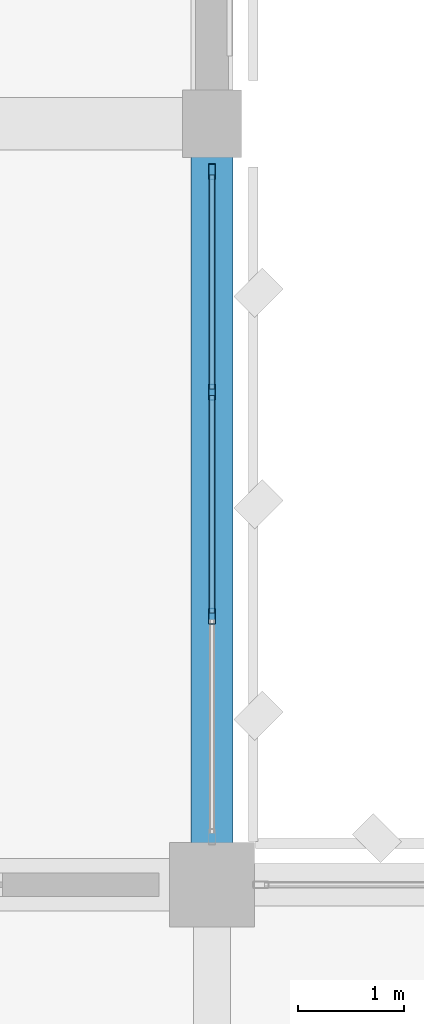
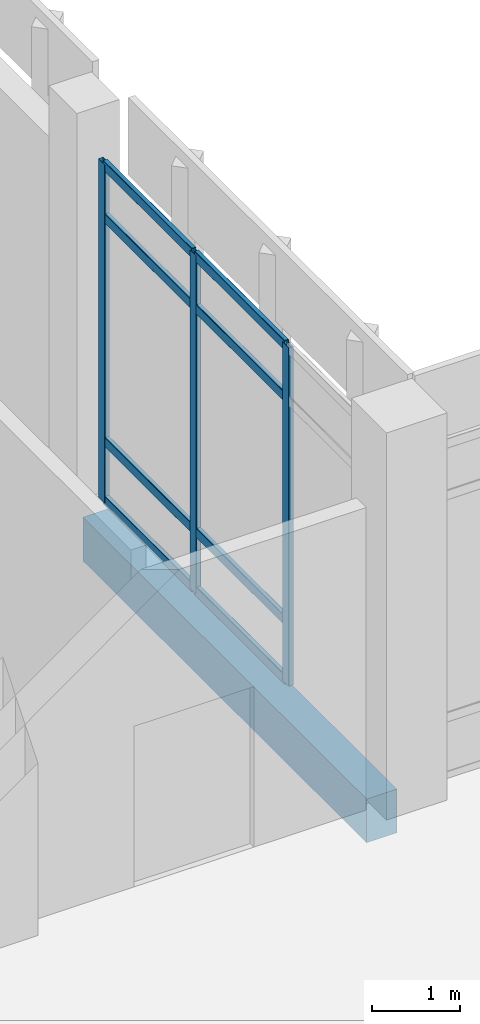
# One storey, part 25 of 180: 11 members, 1 beam, 1 element without a shape of its own.
"""IFC4 building model written with IfcOpenShell, lengths in metres."""

from ifc_helpers import new_model, si_unit, direction, frame, origin, origin_2d, place, context, subcontext, project, spatial, rectangle, hollow_rectangle, extrude, material, material_profile, profile_set, type_object, element, aggregate, save


model = new_model("IFC4")

# Units and contexts
model_context = context("Model", 3, precision=1e-05, world=origin(), true_north=direction((0.0, 1.0)))
body_context = subcontext(model_context, "Body", "Model", "MODEL_VIEW")
ifc_project = project(units=[si_unit("LENGTHUNIT", "METRE"), si_unit("AREAUNIT", "SQUARE_METRE"), si_unit("VOLUMEUNIT", "CUBIC_METRE"), si_unit("PLANEANGLEUNIT", "RADIAN"), si_unit("MASSUNIT", "GRAM", prefix="KILO")], contexts=[model_context])

# Site, building, storey
site_placement = place(None, origin())
site = spatial("IfcSite", under=ifc_project, at=site_placement, CompositionType="ELEMENT")
building_placement = place(site_placement, origin())
building = spatial("IfcBuilding", under=site, at=building_placement, Name="Lusvemor Sports Hall", CompositionType="ELEMENT")
storey_placement = place(building_placement, frame((0.0, 0.0, 5.39990234375)))
storey = spatial("IfcBuildingStorey", under=building, at=storey_placement, Name="L01", CompositionType="ELEMENT", Elevation=5.39990234375)

# Curtain wall, members
ifc_material_1 = material(Name="Thermally broken bronze-anodized aluminium", Category="aluminium")
curtain_wall_type = type_object("IfcCurtainWallType", Name="CW_WING_B", PredefinedType="NOTDEFINED", material=ifc_material_1)
curtain_wall_placement = place(storey_placement, origin())
curtain_wall = element("IfcCurtainWall", 1, at=curtain_wall_placement, inside=storey, type_object=curtain_wall_type, Name="Curtain Wall CW-L01-E-4-0", PredefinedType="NOTDEFINED")
ifc_material_2 = material(Name="Thermally broken bronze-anodized aluminium", Category="aluminium")
ifc_material_profile_1 = material_profile(ifc_material_2, hollow_rectangle(XDim=0.06494140625, YDim=0.14990234375, WallThickness=0.00390625, InnerFilletRadius=0.00390625, OuterFilletRadius=0.008056640625, at=origin_2d()), Name="CWMUL150x65x4")
ifc_profile_set_1 = profile_set([ifc_material_profile_1], Name="Thermally broken bronze-anodized aluminium")
member_type_1 = type_object("IfcMemberType", Name="CW_MUL_B", PredefinedType="MULLION", material=ifc_profile_set_1)
member_1_placement = place(storey_placement, frame((21.60009765625, 53.547607421875, 0.0), z_axis=(0.0, 0.0, 1.0), x_axis=(1.0, 0.0, 0.0)))
member_1 = element("IfcMember", 2, at=member_1_placement, type_object=member_type_1, Name="CW02 mullion 1", PredefinedType="MULLION", context=body_context, shape_type="SweptSolid", body=[
    extrude(hollow_rectangle(XDim=0.06494140625, YDim=0.14990234375, WallThickness=0.00390625, InnerFilletRadius=0.00390625, OuterFilletRadius=0.008056640625, at=origin_2d()), origin(), (0.0, 0.0, 1.0), 4.72021484375),
])
member_2_placement = place(storey_placement, frame((21.60009765625, 51.4599609375, 0.0), z_axis=(0.0, 0.0, 1.0), x_axis=(1.0, 0.0, 0.0)))
member_2 = element("IfcMember", 3, at=member_2_placement, type_object=member_type_1, Name="CW02 mullion 2", PredefinedType="MULLION", context=body_context, shape_type="SweptSolid", body=[
    extrude(hollow_rectangle(XDim=0.06494140625, YDim=0.14990234375, WallThickness=0.00390625, InnerFilletRadius=0.00390625, OuterFilletRadius=0.008056640625, at=origin_2d()), origin(), (0.0, 0.0, 1.0), 4.72021484375),
])
member_3_placement = place(storey_placement, frame((21.60009765625, 49.340087890625, 0.0), z_axis=(0.0, 0.0, 1.0), x_axis=(1.0, 0.0, 0.0)))
member_3 = element("IfcMember", 4, at=member_3_placement, type_object=member_type_1, Name="CW02 mullion 3", PredefinedType="MULLION", context=body_context, shape_type="SweptSolid", body=[
    extrude(hollow_rectangle(XDim=0.06494140625, YDim=0.14990234375, WallThickness=0.00390625, InnerFilletRadius=0.00390625, OuterFilletRadius=0.008056640625, at=origin_2d()), origin(), (0.0, 0.0, 1.0), 4.72021484375),
])
ifc_material_3 = material(Name="Thermally broken bronze-anodized aluminium", Category="aluminium")
ifc_material_profile_2 = material_profile(ifc_material_3, hollow_rectangle(XDim=0.06005859375, YDim=0.135009765625, WallThickness=0.00390625, InnerFilletRadius=0.00390625, OuterFilletRadius=0.008056640625, at=origin_2d()), Name="CWTRN135x60x4")
ifc_profile_set_2 = profile_set([ifc_material_profile_2], Name="Thermally broken bronze-anodized aluminium")
member_type_2 = type_object("IfcMemberType", Name="CW_TRN_B", PredefinedType="USERDEFINED", material=ifc_profile_set_2)
member_4_placement = place(storey_placement, frame((21.60009765625, 53.514892578125, 0.030029296875), z_axis=(0.0, -1.0, 0.0), x_axis=(1.0, 0.0, 0.0)))
member_4 = element("IfcMember", 5, at=member_4_placement, type_object=member_type_2, Name="CW02 transom 1.1", ObjectType="TRANSOM", PredefinedType="USERDEFINED", context=body_context, shape_type="SweptSolid", body=[
    extrude(hollow_rectangle(XDim=0.06005859375, YDim=0.135009765625, WallThickness=0.00390625, InnerFilletRadius=0.00390625, OuterFilletRadius=0.008056640625, at=origin_2d()), origin(), (0.0, 0.0, 1.0), 2.0224609375),
])
member_5_placement = place(storey_placement, frame((21.60009765625, 53.514892578125, 0.85009765625), z_axis=(0.0, -1.0, 0.0), x_axis=(1.0, 0.0, 0.0)))
member_5 = element("IfcMember", 6, at=member_5_placement, type_object=member_type_2, Name="CW02 transom 1.2", ObjectType="TRANSOM", PredefinedType="USERDEFINED", context=body_context, shape_type="SweptSolid", body=[
    extrude(hollow_rectangle(XDim=0.06005859375, YDim=0.135009765625, WallThickness=0.00390625, InnerFilletRadius=0.00390625, OuterFilletRadius=0.008056640625, at=origin_2d()), origin(), (0.0, 0.0, 1.0), 2.0224609375),
])
member_6_placement = place(storey_placement, frame((21.60009765625, 53.514892578125, 3.97021484375), z_axis=(0.0, -1.0, 0.0), x_axis=(1.0, 0.0, 0.0)))
member_6 = element("IfcMember", 7, at=member_6_placement, type_object=member_type_2, Name="CW02 transom 1.3", ObjectType="TRANSOM", PredefinedType="USERDEFINED", context=body_context, shape_type="SweptSolid", body=[
    extrude(hollow_rectangle(XDim=0.06005859375, YDim=0.135009765625, WallThickness=0.00390625, InnerFilletRadius=0.00390625, OuterFilletRadius=0.008056640625, at=origin_2d()), origin(), (0.0, 0.0, 1.0), 2.0224609375),
])
member_7_placement = place(storey_placement, frame((21.60009765625, 53.514892578125, 4.690185546875), z_axis=(0.0, -1.0, 0.0), x_axis=(1.0, 0.0, 0.0)))
member_7 = element("IfcMember", 8, at=member_7_placement, type_object=member_type_2, Name="CW02 transom 1.4", ObjectType="TRANSOM", PredefinedType="USERDEFINED", context=body_context, shape_type="SweptSolid", body=[
    extrude(hollow_rectangle(XDim=0.06005859375, YDim=0.135009765625, WallThickness=0.00390625, InnerFilletRadius=0.00390625, OuterFilletRadius=0.008056640625, at=origin_2d()), origin(), (0.0, 0.0, 1.0), 2.0224609375),
])
member_8_placement = place(storey_placement, frame((21.60009765625, 51.427490234375, 0.030029296875), z_axis=(0.0, -1.0, 0.0), x_axis=(1.0, 0.0, 0.0)))
member_8 = element("IfcMember", 9, at=member_8_placement, type_object=member_type_2, Name="CW02 transom 2.1", ObjectType="TRANSOM", PredefinedType="USERDEFINED", context=body_context, shape_type="SweptSolid", body=[
    extrude(hollow_rectangle(XDim=0.06005859375, YDim=0.135009765625, WallThickness=0.00390625, InnerFilletRadius=0.00390625, OuterFilletRadius=0.008056640625, at=origin_2d()), origin(), (0.0, 0.0, 1.0), 2.054931640625),
])
member_9_placement = place(storey_placement, frame((21.60009765625, 51.427490234375, 0.85009765625), z_axis=(0.0, -1.0, 0.0), x_axis=(1.0, 0.0, 0.0)))
member_9 = element("IfcMember", 10, at=member_9_placement, type_object=member_type_2, Name="CW02 transom 2.2", ObjectType="TRANSOM", PredefinedType="USERDEFINED", context=body_context, shape_type="SweptSolid", body=[
    extrude(hollow_rectangle(XDim=0.06005859375, YDim=0.135009765625, WallThickness=0.00390625, InnerFilletRadius=0.00390625, OuterFilletRadius=0.008056640625, at=origin_2d()), origin(), (0.0, 0.0, 1.0), 2.054931640625),
])
member_10_placement = place(storey_placement, frame((21.60009765625, 51.427490234375, 3.97021484375), z_axis=(0.0, -1.0, 0.0), x_axis=(1.0, 0.0, 0.0)))
member_10 = element("IfcMember", 11, at=member_10_placement, type_object=member_type_2, Name="CW02 transom 2.3", ObjectType="TRANSOM", PredefinedType="USERDEFINED", context=body_context, shape_type="SweptSolid", body=[
    extrude(hollow_rectangle(XDim=0.06005859375, YDim=0.135009765625, WallThickness=0.00390625, InnerFilletRadius=0.00390625, OuterFilletRadius=0.008056640625, at=origin_2d()), origin(), (0.0, 0.0, 1.0), 2.054931640625),
])
member_11_placement = place(storey_placement, frame((21.60009765625, 51.427490234375, 4.690185546875), z_axis=(0.0, -1.0, 0.0), x_axis=(1.0, 0.0, 0.0)))
member_11 = element("IfcMember", 12, at=member_11_placement, type_object=member_type_2, Name="CW02 transom 2.4", ObjectType="TRANSOM", PredefinedType="USERDEFINED", context=body_context, shape_type="SweptSolid", body=[
    extrude(hollow_rectangle(XDim=0.06005859375, YDim=0.135009765625, WallThickness=0.00390625, InnerFilletRadius=0.00390625, OuterFilletRadius=0.008056640625, at=origin_2d()), origin(), (0.0, 0.0, 1.0), 2.054931640625),
])
aggregate(curtain_wall, [member_1, member_2, member_3, member_4, member_5, member_6, member_7, member_8, member_9, member_10, member_11])

# Beam
ifc_material_4 = material(Name="Concrete C40/50", Category="concrete")
ifc_material_profile_3 = material_profile(ifc_material_4, rectangle(XDim=0.39990234375, YDim=0.610107421875, at=origin_2d()), Name="RC400x610")
ifc_profile_set_3 = profile_set([ifc_material_profile_3], Name="Concrete C40/50")
beam_type = type_object("IfcBeamType", Name="SPAND_EXT_650", PredefinedType="SPANDREL", material=ifc_profile_set_3)
beam_placement = place(storey_placement, frame((21.60009765625, 47.196044921875, -0.56494140625), z_axis=(0.0, 1.0, 0.0), x_axis=(-1.0, 0.0, 0.0)))
element("IfcBeam", 13, at=beam_placement, inside=storey, type_object=beam_type, Name="Beam L01 3:F-G", PredefinedType="SPANDREL", context=body_context, shape_type="SweptSolid", body=[
    extrude(rectangle(XDim=0.39990234375, YDim=0.610107421875, at=origin_2d()), origin(), (0.0, 0.0, 1.0), 6.488037109375),
])

save(model, "model.ifc")
